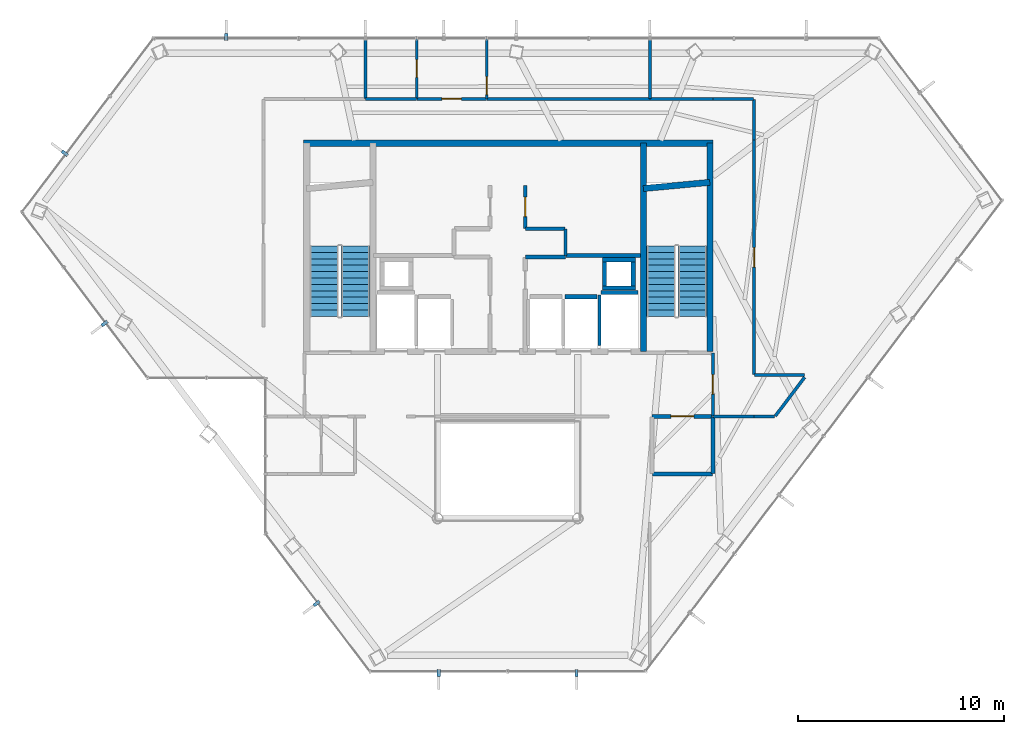
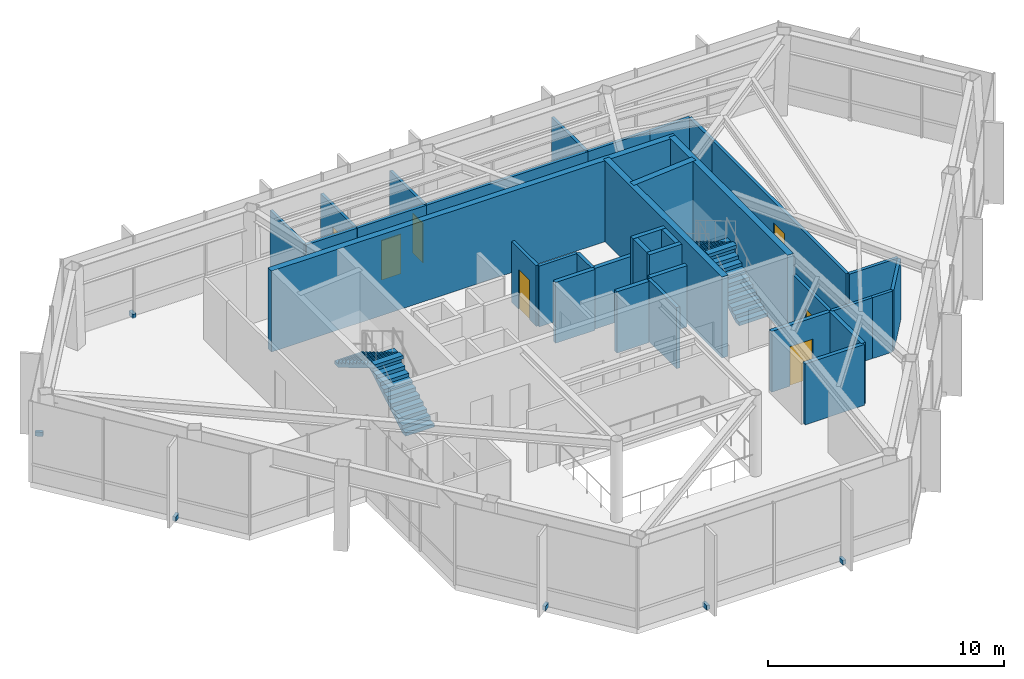
# One storey, part 20 of 22: 35 walls, 7 doors, 6 discrete accessories, 4 stair flights, 7 openings, 2 elements without a shape of their own.
"""IFC4 building model written with IfcOpenShell, lengths in metres."""

import ifcopenshell
import ifcopenshell.guid

model = None  # the IFC model being written
_history = None  # IfcOwnerHistory: only IFC2X3 demands one
_inside = {}  # id of a spatial element -> (the spatial element, [elements in it])
_under = {}  # id of a project, library or spatial element -> (it, [spatial elements below it])
_declared = {}  # id of a project -> (the project, [libraries it declares])
_typed = {}  # id of a type object -> (the type object, [elements of that type])
_made_of = {}  # id of a material, layer set ... -> (it, [elements and type objects made of it])


def new_model(schema):
    """Start an empty IFC model of exactly this schema.

    Asked for "IFC4X3", IfcOpenShell would pick the latest addendum, in which some entities
    have other attributes; the version numbers below select the first issue.
    IFC2X3 requires an IfcOwnerHistory on every rooted entity: one is made here for all.
    """
    global model, _history
    if schema == "IFC4X3":
        model = ifcopenshell.file(schema_version=(4, 3, 0, 0))
    else:
        model = ifcopenshell.file(schema=schema)
    _inside.clear()
    _under.clear()
    _declared.clear()
    _typed.clear()
    _made_of.clear()
    _history = None
    if model.schema == "IFC2X3":
        org = make("IfcOrganization", Name="unknown")
        user = make(
            "IfcPersonAndOrganization",
            ThePerson=make("IfcPerson", FamilyName="unknown"),
            TheOrganization=org,
        )
        app = make(
            "IfcApplication",
            ApplicationDeveloper=org,
            Version="unknown",
            ApplicationFullName="unknown",
            ApplicationIdentifier="unknown",
        )
        _history = make(
            "IfcOwnerHistory",
            OwningUser=user,
            OwningApplication=app,
            ChangeAction="ADDED",
            CreationDate=0,
        )
    return model


def make(cls, **values):
    """One entity of the class cls with the attributes given. An attribute that is None is left unset."""
    return model.create_entity(
        cls, **{name: value for name, value in values.items() if value is not None}
    )


def rooted(cls, **values):
    """An entity with a GlobalId (a new one), such as an element, a storey or a relation."""
    return make(cls, GlobalId=ifcopenshell.guid.new(), OwnerHistory=_history, **values)


def si_unit(unit_type, name, prefix=None):
    """IfcSIUnit, for example si_unit("LENGTHUNIT", "METRE", prefix="MILLI")."""
    return make("IfcSIUnit", UnitType=unit_type, Prefix=prefix, Name=name)


def assignment(units):
    """IfcUnitAssignment: the units of a project."""
    return None if units is None else make("IfcUnitAssignment", Units=units)


def point(xyz):
    """IfcCartesianPoint."""
    return None if xyz is None else make("IfcCartesianPoint", Coordinates=xyz)


def direction(xyz):
    """IfcDirection."""
    return None if xyz is None else make("IfcDirection", DirectionRatios=xyz)


def frame(location, z_axis=None, x_axis=None):
    """IfcAxis2Placement3D, a coordinate frame: its origin and axes. An axis left out is left unset."""
    return make(
        "IfcAxis2Placement3D",
        Location=point(location),
        Axis=direction(z_axis),
        RefDirection=direction(x_axis),
    )


def frame_2d(location, x_axis=None):
    """IfcAxis2Placement2D, a coordinate frame in the plane: its origin and x axis."""
    return make(
        "IfcAxis2Placement2D", Location=point(location), RefDirection=direction(x_axis)
    )


def origin():
    """The frame at (0, 0, 0) with its axes left unset."""
    return frame((0.0, 0.0, 0.0))


def origin_2d():
    """The frame at (0, 0) in the plane with its x axis left unset."""
    return frame_2d((0.0, 0.0))


def place(relative_to, where):
    """IfcLocalPlacement: puts the frame where relative to a parent placement (None: the world)."""
    return make(
        "IfcLocalPlacement", PlacementRelTo=relative_to, RelativePlacement=where
    )


def context(
    kind, dimensions, precision=None, world=None, true_north=None, identifier=None
):
    """IfcGeometricRepresentationContext, for example the 3D "Model" context."""
    return make(
        "IfcGeometricRepresentationContext",
        ContextIdentifier=identifier,
        ContextType=kind,
        CoordinateSpaceDimension=dimensions,
        Precision=precision,
        WorldCoordinateSystem=world,
        TrueNorth=true_north,
    )


def subcontext(parent, identifier, kind, view, scale=None):
    """IfcGeometricRepresentationSubContext, for example "Body" below "Model"."""
    return make(
        "IfcGeometricRepresentationSubContext",
        ContextIdentifier=identifier,
        ContextType=kind,
        ParentContext=parent,
        TargetScale=scale,
        TargetView=view,
    )


def project(units=None, contexts=None):
    """IfcProject with its units and contexts."""
    return rooted(
        "IfcProject",
        Name="project",
        RepresentationContexts=contexts,
        UnitsInContext=assignment(units),
    )


def spatial(cls, under=None, at=None, **own):
    """A site, building, storey or space (cls), placed at a placement, below another one or the project."""
    s = rooted(cls, ObjectPlacement=at, **own)
    if under is not None:
        _under.setdefault(under.id(), (under, []))[1].append(s)
    return s


def polyline(points):
    """IfcPolyline through the points."""
    return make("IfcPolyline", Points=[point(p) for p in points])


def profile(cls, at=None, kind="AREA", **sizes):
    """A parametric profile (cls). Its sizes go by their IFC names, for example OverallWidth=200.0."""
    return make(cls, ProfileType=kind, Position=at, **sizes)


def rectangle(**sizes):
    """IfcRectangleProfileDef."""
    return profile("IfcRectangleProfileDef", **sizes)


def outline(outer, holes=None, kind="AREA"):
    """IfcArbitraryClosedProfileDef: a profile drawn as a closed curve; with holes, ...WithVoids."""
    if holes is None:
        return make("IfcArbitraryClosedProfileDef", ProfileType=kind, OuterCurve=outer)
    return make(
        "IfcArbitraryProfileDefWithVoids",
        ProfileType=kind,
        OuterCurve=outer,
        InnerCurves=holes,
    )


def extrude(swept, where, along, depth):
    """IfcExtrudedAreaSolid: the profile swept, set in the frame where, extruded along a direction by depth."""
    return make(
        "IfcExtrudedAreaSolid",
        SweptArea=swept,
        Position=where,
        ExtrudedDirection=direction(along),
        Depth=depth,
    )


def shape(context_of_items, identifier, shape_type, items):
    """IfcShapeRepresentation: the items that make up one representation, for example the "Body"."""
    return make(
        "IfcShapeRepresentation",
        ContextOfItems=context_of_items,
        RepresentationIdentifier=identifier,
        RepresentationType=shape_type,
        Items=items,
    )


def material(Name=None, Category=None):
    """IfcMaterial."""
    return make("IfcMaterial", Name=Name, Category=Category)


def layer(
    of_material, thickness, ventilated=None, Name=None, Category=None, Priority=None
):
    """IfcMaterialLayer: one layer of a wall or slab, of a material (None: an air gap)."""
    return make(
        "IfcMaterialLayer",
        Material=of_material,
        LayerThickness=thickness,
        IsVentilated=ventilated,
        Name=Name,
        Category=Category,
        Priority=Priority,
    )


def layer_set(layers, Name=None):
    """IfcMaterialLayerSet."""
    return make("IfcMaterialLayerSet", MaterialLayers=layers, LayerSetName=Name)


def made_of(thing, what):
    """Note that an element or type object is made of a material, layer set ...; save() writes the relation."""
    if what is not None:
        _made_of.setdefault(what.id(), (what, []))[1].append(thing)
    return thing


def type_object(cls, material=None, **own):
    """A type object (cls), such as IfcWallType, which elements share."""
    return made_of(rooted(cls, **own), material)


def element(
    cls,
    number,
    at=None,
    inside=None,
    cuts=None,
    type_object=None,
    material=None,
    context=None,
    identifier="Body",
    shape_type=None,
    held_by="IfcProductDefinitionShape",
    body=None,
    shapes=None,
    **own,
):
    """One element of the class cls, such as IfcWall. Its Tag is "e" and its number.

    at: its placement. inside: the storey or other place that contains it. cuts: it is an
    opening in that element (IfcRelVoidsElement). A single representation is given by context,
    identifier, shape_type and body (its items); several are given by shapes. held_by: the class
    of the entity that holds the representations. save() writes the other relations.
    """
    e = rooted(cls, Tag="e%d" % number, ObjectPlacement=at, **own)
    if body is not None:
        shapes = [shape(context, identifier, shape_type, body)]
    if shapes is not None:
        e.Representation = make(held_by, Representations=shapes)
    if inside is not None:
        _inside.setdefault(inside.id(), (inside, []))[1].append(e)
    if cuts is not None:
        rooted(
            "IfcRelVoidsElement", RelatingBuildingElement=cuts, RelatedOpeningElement=e
        )
    if type_object is not None:
        _typed.setdefault(type_object.id(), (type_object, []))[1].append(e)
    return made_of(e, material)


def fill(opening, filler):
    """IfcRelFillsElement: the door or window that sits in an opening."""
    return rooted(
        "IfcRelFillsElement",
        RelatingOpeningElement=opening,
        RelatedBuildingElement=filler,
    )


def aggregate(whole, parts):
    """IfcRelAggregates: a whole, such as a stair, and the parts it consists of."""
    return rooted("IfcRelAggregates", RelatingObject=whole, RelatedObjects=parts)


def save(model, path):
    """Write the relations noted so far, then the file.

    IfcRelAggregates (storeys below a building ...), IfcRelContainedInSpatialStructure (elements
    in a storey), IfcRelDefinesByType, IfcRelAssociatesMaterial and IfcRelDeclares: one each for
    every whole, place, type object, material and project.
    """
    for whole, parts in _under.values():
        aggregate(whole, parts)
    for where, things in _inside.values():
        rooted(
            "IfcRelContainedInSpatialStructure",
            RelatedElements=things,
            RelatingStructure=where,
        )
    for kind, things in _typed.values():
        rooted("IfcRelDefinesByType", RelatedObjects=things, RelatingType=kind)
    for what, things in _made_of.values():
        rooted("IfcRelAssociatesMaterial", RelatedObjects=things, RelatingMaterial=what)
    for by, libraries in _declared.values():
        rooted("IfcRelDeclares", RelatingContext=by, RelatedDefinitions=libraries)
    model.write(path)


model = new_model("IFC4")

# Units and contexts
model_context = context("Model", 3, precision=1e-05, world=origin(), true_north=direction((0.0, 1.0)))
body_context = subcontext(model_context, "Body", "Model", "MODEL_VIEW")
ifc_project = project(units=[si_unit("LENGTHUNIT", "METRE"), si_unit("AREAUNIT", "SQUARE_METRE"), si_unit("VOLUMEUNIT", "CUBIC_METRE"), si_unit("PLANEANGLEUNIT", "RADIAN"), si_unit("MASSUNIT", "GRAM", prefix="KILO")], contexts=[model_context])

# Site, building, storey
site_placement = place(None, origin())
site = spatial("IfcSite", under=ifc_project, at=site_placement, CompositionType="ELEMENT")
building_placement = place(site_placement, origin())
building = spatial("IfcBuilding", under=site, at=building_placement, Name="Zarrinselat Tower", CompositionType="ELEMENT")
storey_placement = place(building_placement, frame((0.0, 0.0, 204.340087890625)))
storey = spatial("IfcBuildingStorey", under=building, at=storey_placement, Name="L50", CompositionType="ELEMENT", Elevation=204.340087890625)

# Wall, opening, door
ifc_material_1 = material(Name="Concrete C40/50", Category="concrete")
ifc_layer_1 = layer(ifc_material_1, 0.18994140625)
ifc_layer_set_1 = layer_set([ifc_layer_1], Name="Concrete C40/50")
wall_type_1 = type_object("IfcWallType", Name="WAL-PART-EI120", PredefinedType="PARTITIONING", material=ifc_layer_set_1)
wall_1_placement = place(storey_placement, frame((45.405029296875, 30.14990234375, 0.0), z_axis=(0.0, 0.0, 1.0), x_axis=(1.0, 0.0, 0.0)))
wall_1 = element("IfcWall", 1, at=wall_1_placement, inside=storey, type_object=wall_type_1, Name="L50 Partition Wall 13", PredefinedType="PARTITIONING", context=body_context, shape_type="SweptSolid", body=[
    extrude(rectangle(XDim=2.925048828125, YDim=0.18994140625, at=frame_2d((1.46240234375, 0.0))), origin(), (0.0, 0.0, 1.0), 3.156982421875),
])
opening_1_placement = place(wall_1_placement, frame((0.902587890625, 0.0, 0.0)))
opening_1 = element("IfcOpeningElement", 2, at=opening_1_placement, cuts=wall_1, Name="Opening ID-02", PredefinedType="OPENING", context=body_context, shape_type="SweptSolid", body=[
    extrude(rectangle(XDim=1.1201171875, YDim=2.050048828125, at=frame_2d((0.56005859375, 1.02490234375))), frame((0.0, 0.10498046875, 0.0), z_axis=(0.0, -1.0, 0.0), x_axis=(1.0, 0.0, 0.0)), (0.0, 0.0, 1.0), 0.2099609375),
])
ifc_material_2 = material(Name="Steel S355J2", Category="steel")
door_type_1 = type_object("IfcDoorType", Name="DR-INT-FD60-W", OperationType="NOTDEFINED", PredefinedType="DOOR", material=ifc_material_2)
door_1_placement = place(opening_1_placement, origin())
door_1 = element("IfcDoor", 3, at=door_1_placement, inside=storey, type_object=door_type_1, Name="L50 Interior Door P13", OperationType="SINGLE_SWING_LEFT", OverallHeight=2.050048828125, OverallWidth=1.1201171875, PredefinedType="DOOR", context=body_context, shape_type="SweptSolid", body=[
    extrude(rectangle(XDim=1.1201171875, YDim=2.050048828125, at=frame_2d((0.56005859375, 1.02490234375))), frame((0.0, 0.02490234375, 0.0), z_axis=(0.0, -1.0, 0.0), x_axis=(1.0, 0.0, 0.0)), (0.0, 0.0, 1.0), 0.050048828125),
])
fill(opening_1, door_1)

# Walls
wall_2_placement = place(storey_placement, frame((45.419921875, 27.35009765625, 0.0), z_axis=(0.0, 0.0, 1.0), x_axis=(1.0, 0.0, 0.0)))
element("IfcWall", 4, at=wall_2_placement, inside=storey, type_object=wall_type_1, Name="L50 Partition Wall 20", PredefinedType="PARTITIONING", context=body_context, shape_type="SweptSolid", body=[
    extrude(rectangle(XDim=2.91015625, YDim=0.18994140625, at=frame_2d((1.455078125, 0.0))), origin(), (0.0, 0.0, 1.0), 3.156982421875),
])
wall_3_placement = place(storey_placement, frame((48.35009765625, 27.3701171875, 0.0), z_axis=(0.0, 0.0, 1.0), x_axis=(0.0, 1.0, 0.0)))
element("IfcWall", 5, at=wall_3_placement, inside=storey, type_object=wall_type_1, Name="L50 Partition Wall 22", PredefinedType="PARTITIONING", context=body_context, shape_type="SweptSolid", body=[
    extrude(rectangle(XDim=2.759765625, YDim=0.18994140625, at=frame_2d((1.3798828125, 0.0))), origin(), (0.0, 0.0, 1.0), 3.156982421875),
])

# Wall, opening, door
ifc_material_3 = material(Name="Fire-Rated Gypsum Board Partition", Category="gypsum")
ifc_layer_2 = layer(ifc_material_3, 0.14990234375)
ifc_layer_set_2 = layer_set([ifc_layer_2], Name="Fire-Rated Gypsum Board Partition")
wall_type_2 = type_object("IfcWallType", Name="WAL-PART-EI60", PredefinedType="PARTITIONING", material=ifc_layer_set_2)
wall_4_placement = place(storey_placement, frame((39.25, 39.27001953125, 0.0), z_axis=(0.0, 0.0, 1.0), x_axis=(0.0, 1.0, 0.0)))
wall_4 = element("IfcWall", 6, at=wall_4_placement, inside=storey, type_object=wall_type_2, Name="L50 Partition Wall 8", PredefinedType="PARTITIONING", context=body_context, shape_type="SweptSolid", body=[
    extrude(rectangle(XDim=2.080078125, YDim=0.14990234375, at=frame_2d((1.0400390625, 0.0))), origin(), (0.0, 0.0, 1.0), 3.156982421875),
])
opening_2_placement = place(wall_4_placement, frame((0.570068359375, 0.0, 0.0)))
opening_2 = element("IfcOpeningElement", 7, at=opening_2_placement, cuts=wall_4, Name="Opening ID-04", PredefinedType="OPENING", context=body_context, shape_type="SweptSolid", body=[
    extrude(rectangle(XDim=0.93994140625, YDim=2.050048828125, at=frame_2d((0.469970703125, 1.02490234375))), frame((0.0, 0.0849609375, 0.0), z_axis=(0.0, -1.0, 0.0), x_axis=(1.0, 0.0, 0.0)), (0.0, 0.0, 1.0), 0.169921875),
])
ifc_material_4 = material(Name="Fire-Rated Gypsum Board Partition")
door_type_2 = type_object("IfcDoorType", Name="DR-INT-FD30-ENT", OperationType="NOTDEFINED", PredefinedType="DOOR", material=ifc_material_4)
door_2_placement = place(opening_2_placement, origin())
door_2 = element("IfcDoor", 8, at=door_2_placement, inside=storey, type_object=door_type_2, Name="L50 Interior Door P8", OperationType="SINGLE_SWING_RIGHT", OverallHeight=2.050048828125, OverallWidth=0.93994140625, PredefinedType="DOOR", context=body_context, shape_type="SweptSolid", body=[
    extrude(rectangle(XDim=0.93994140625, YDim=2.050048828125, at=frame_2d((0.469970703125, 1.02490234375))), frame((0.0, 0.02490234375, 0.0), z_axis=(0.0, -1.0, 0.0), x_axis=(1.0, 0.0, 0.0)), (0.0, 0.0, 1.0), 0.050048828125),
])
fill(opening_2, door_2)

# Walls
wall_5_placement = place(storey_placement, frame((39.27001953125, 39.25, 0.0), z_axis=(0.0, 0.0, 1.0), x_axis=(1.0, 0.0, 0.0)))
element("IfcWall", 9, at=wall_5_placement, inside=storey, type_object=wall_type_2, Name="L50 Partition Wall 9", PredefinedType="PARTITIONING", context=body_context, shape_type="SweptSolid", body=[
    extrude(rectangle(XDim=1.909912109375, YDim=0.14990234375, at=frame_2d((0.955078125, 0.0))), origin(), (0.0, 0.0, 1.0), 3.156982421875),
])
wall_6_placement = place(storey_placement, frame((41.199951171875, 37.955078125, 0.0), z_axis=(0.0, 0.0, 1.0), x_axis=(0.0, 1.0, 0.0)))
element("IfcWall", 10, at=wall_6_placement, inside=storey, type_object=wall_type_2, Name="L50 Partition Wall 10", PredefinedType="PARTITIONING", context=body_context, shape_type="SweptSolid", body=[
    extrude(rectangle(XDim=1.27490234375, YDim=0.14990234375, at=frame_2d((0.637451171875, 0.0))), origin(), (0.0, 0.0, 1.0), 3.156982421875),
])

# Wall, opening, door
wall_7_placement = place(storey_placement, frame((48.35009765625, 30.169921875, 0.0), z_axis=(0.0, 0.0, 1.0), x_axis=(0.0, 1.0, 0.0)))
wall_7 = element("IfcWall", 11, at=wall_7_placement, inside=storey, type_object=wall_type_2, Name="L50 Partition Wall 14", PredefinedType="PARTITIONING", context=body_context, shape_type="SweptSolid", body=[
    extrude(rectangle(XDim=3.06005859375, YDim=0.14990234375, at=frame_2d((1.530029296875, 0.0))), origin(), (0.0, 0.0, 1.0), 3.156982421875),
])
opening_3_placement = place(wall_7_placement, frame((1.06005859375, 0.0, 0.0)))
opening_3 = element("IfcOpeningElement", 12, at=opening_3_placement, cuts=wall_7, Name="Opening ID-04", PredefinedType="OPENING", context=body_context, shape_type="SweptSolid", body=[
    extrude(rectangle(XDim=0.93994140625, YDim=2.050048828125, at=frame_2d((0.469970703125, 1.02490234375))), frame((0.0, 0.0849609375, 0.0), z_axis=(0.0, -1.0, 0.0), x_axis=(1.0, 0.0, 0.0)), (0.0, 0.0, 1.0), 0.169921875),
])
door_3_placement = place(opening_3_placement, origin())
door_3 = element("IfcDoor", 13, at=door_3_placement, inside=storey, type_object=door_type_2, Name="L50 Interior Door P14", OperationType="SINGLE_SWING_RIGHT", OverallHeight=2.050048828125, OverallWidth=0.93994140625, PredefinedType="DOOR", context=body_context, shape_type="SweptSolid", body=[
    extrude(rectangle(XDim=0.93994140625, YDim=2.050048828125, at=frame_2d((0.469970703125, 1.02490234375))), frame((0.0, 0.02490234375, 0.0), z_axis=(0.0, -1.0, 0.0), x_axis=(1.0, 0.0, 0.0)), (0.0, 0.0, 1.0), 0.050048828125),
])
fill(opening_3, door_3)

# Walls
wall_8_placement = place(storey_placement, frame((45.304931640625, 45.550048828125, 0.0), z_axis=(0.0, 0.0, 1.0), x_axis=(1.0, 0.0, 0.0)))
element("IfcWall", 14, at=wall_8_placement, inside=storey, type_object=wall_type_2, Name="L50 Partition Wall 23", PredefinedType="PARTITIONING", context=body_context, shape_type="SweptSolid", body=[
    extrude(rectangle(XDim=3.045166015625, YDim=0.14990234375, at=frame_2d((1.5224609375, 0.0))), origin(), (0.0, 0.0, 1.0), 3.156982421875),
])
for number, where, z_axis, x_axis, name in (
    (15, (48.35009765625, 45.550048828125, 0.0), (0.0, 0.0, 1.0), (1.0, 0.0, 0.0), "L50 Partition Wall 24"),
    (16, (50.35009765625, 43.550048828125, 0.0), (0.0, 0.0, 1.0), (0.0, 1.0, 0.0), "L50 Partition Wall 25"),
):
    element("IfcWall", number, at=place(storey_placement, frame(where, z_axis=z_axis, x_axis=x_axis)), inside=storey, type_object=wall_type_2, Name=name, PredefinedType="PARTITIONING", context=body_context, shape_type="SweptSolid", body=[
        extrude(rectangle(XDim=1.97998046875, YDim=0.14990234375, at=frame_2d((0.989990234375, 0.0))), origin(), (0.0, 0.0, 1.0), 3.156982421875),
    ])

# Wall, opening, door
wall_9_placement = place(storey_placement, frame((50.35009765625, 32.169921875, 0.0), z_axis=(0.0, 0.0, 1.0), x_axis=(0.0, 1.0, 0.0)))
wall_9 = element("IfcWall", 17, at=wall_9_placement, inside=storey, type_object=wall_type_2, Name="L50 Partition Wall 26", PredefinedType="PARTITIONING", context=body_context, shape_type="SweptSolid", body=[
    extrude(rectangle(XDim=11.380126953125, YDim=0.14990234375, at=frame_2d((5.68994140625, 0.0))), origin(), (0.0, 0.0, 1.0), 3.156982421875),
])
opening_4_placement = place(wall_9_placement, frame((5.219970703125, 0.0, 0.0)))
opening_4 = element("IfcOpeningElement", 18, at=opening_4_placement, cuts=wall_9, Name="Opening ID-04", PredefinedType="OPENING", context=body_context, shape_type="SweptSolid", body=[
    extrude(rectangle(XDim=0.93994140625, YDim=2.050048828125, at=frame_2d((0.469970703125, 1.02490234375))), frame((0.0, 0.0849609375, 0.0), z_axis=(0.0, -1.0, 0.0), x_axis=(1.0, 0.0, 0.0)), (0.0, 0.0, 1.0), 0.169921875),
])
door_4_placement = place(opening_4_placement, origin())
door_4 = element("IfcDoor", 19, at=door_4_placement, inside=storey, type_object=door_type_2, Name="L50 Interior Door P26", OperationType="SINGLE_SWING_RIGHT", OverallHeight=2.050048828125, OverallWidth=0.93994140625, PredefinedType="DOOR", context=body_context, shape_type="SweptSolid", body=[
    extrude(rectangle(XDim=0.93994140625, YDim=2.050048828125, at=frame_2d((0.469970703125, 1.02490234375))), frame((0.0, 0.02490234375, 0.0), z_axis=(0.0, -1.0, 0.0), x_axis=(1.0, 0.0, 0.0)), (0.0, 0.0, 1.0), 0.050048828125),
])
fill(opening_4, door_4)

# Walls
wall_10_placement = place(storey_placement, frame((50.3701171875, 32.14990234375, 0.0), z_axis=(0.0, 0.0, 1.0), x_axis=(1.0, 0.0, 0.0)))
element("IfcWall", 20, at=wall_10_placement, inside=storey, type_object=wall_type_2, Name="L50 Partition Wall 27", PredefinedType="PARTITIONING", context=body_context, shape_type="SweptSolid", body=[
    extrude(rectangle(XDim=2.429931640625, YDim=0.14990234375, at=frame_2d((1.21484375, 0.0))), origin(), (0.0, 0.0, 1.0), 3.156982421875),
])
wall_11_placement = place(storey_placement, frame((51.377197265625, 30.166015625, 0.0), z_axis=(0.0, 0.0, 1.0), x_axis=(0.603855693114, 0.797093659424, 0.0)))
element("IfcWall", 21, at=wall_11_placement, inside=storey, type_object=wall_type_2, Name="L50 Partition Wall 28", PredefinedType="PARTITIONING", context=body_context, shape_type="SweptSolid", body=[
    extrude(rectangle(XDim=2.356201171875, YDim=0.14990234375, at=frame_2d((1.17822265625, 0.0))), origin(), (0.0, 0.0, 1.0), 3.156982421875),
])
wall_12_placement = place(storey_placement, frame((50.35009765625, 30.14990234375, 0.0), z_axis=(0.0, 0.0, 1.0), x_axis=(1.0, 0.0, 0.0)))
element("IfcWall", 22, at=wall_12_placement, inside=storey, type_object=wall_type_2, Name="L50 Partition Wall 29", PredefinedType="PARTITIONING", context=body_context, shape_type="SweptSolid", body=[
    extrude(rectangle(XDim=0.9951171875, YDim=0.14990234375, at=frame_2d((0.49755859375, 0.0))), origin(), (0.0, 0.0, 1.0), 3.156982421875),
])
wall_13_placement = place(storey_placement, frame((48.3701171875, 30.14990234375, 0.0), z_axis=(0.0, 0.0, 1.0), x_axis=(1.0, 0.0, 0.0)))
element("IfcWall", 23, at=wall_13_placement, inside=storey, type_object=wall_type_2, Name="L50 Partition Wall 30", PredefinedType="PARTITIONING", context=body_context, shape_type="SweptSolid", body=[
    extrude(rectangle(XDim=1.97998046875, YDim=0.14990234375, at=frame_2d((0.989990234375, 0.0))), origin(), (0.0, 0.0, 1.0), 3.156982421875),
])

# Wall, opening, door
wall_14_placement = place(storey_placement, frame((33.989013671875, 45.550048828125, 0.0), z_axis=(0.0, 0.0, 1.0), x_axis=(1.0, 0.0, 0.0)))
wall_14 = element("IfcWall", 24, at=wall_14_placement, inside=storey, type_object=wall_type_2, Name="L50 Partition Wall 35", PredefinedType="PARTITIONING", context=body_context, shape_type="SweptSolid", body=[
    extrude(rectangle(XDim=3.384765625, YDim=0.14990234375, at=frame_2d((1.6923828125, 0.0))), origin(), (0.0, 0.0, 1.0), 3.156982421875),
])
opening_5_placement = place(wall_14_placement, frame((1.222412109375, 0.0, 0.0)))
opening_5 = element("IfcOpeningElement", 25, at=opening_5_placement, cuts=wall_14, Name="Opening ID-04", PredefinedType="OPENING", context=body_context, shape_type="SweptSolid", body=[
    extrude(rectangle(XDim=0.93994140625, YDim=2.050048828125, at=frame_2d((0.469970703125, 1.02490234375))), frame((0.0, 0.0849609375, 0.0), z_axis=(0.0, -1.0, 0.0), x_axis=(1.0, 0.0, 0.0)), (0.0, 0.0, 1.0), 0.169921875),
])
door_5_placement = place(opening_5_placement, origin())
door_5 = element("IfcDoor", 26, at=door_5_placement, inside=storey, type_object=door_type_2, Name="L50 Interior Door P35", OperationType="SINGLE_SWING_RIGHT", OverallHeight=2.050048828125, OverallWidth=0.93994140625, PredefinedType="DOOR", context=body_context, shape_type="SweptSolid", body=[
    extrude(rectangle(XDim=0.93994140625, YDim=2.050048828125, at=frame_2d((0.469970703125, 1.02490234375))), frame((0.0, 0.02490234375, 0.0), z_axis=(0.0, -1.0, 0.0), x_axis=(1.0, 0.0, 0.0)), (0.0, 0.0, 1.0), 0.050048828125),
])
fill(opening_5, door_5)

# Walls
wall_15_placement = place(storey_placement, frame((37.3837890625, 45.550048828125, 0.0), z_axis=(0.0, 0.0, 1.0), x_axis=(1.0, 0.0, 0.0)))
element("IfcWall", 27, at=wall_15_placement, inside=storey, type_object=wall_type_2, Name="L50 Partition Wall 36", PredefinedType="PARTITIONING", context=body_context, shape_type="SweptSolid", body=[
    extrude(rectangle(XDim=7.9111328125, YDim=0.14990234375, at=frame_2d((3.95556640625, 0.0))), origin(), (0.0, 0.0, 1.0), 3.156982421875),
])
wall_16_placement = place(storey_placement, frame((31.5048828125, 45.550048828125, 0.0), z_axis=(0.0, 0.0, 1.0), x_axis=(1.0, 0.0, 0.0)))
element("IfcWall", 28, at=wall_16_placement, inside=storey, type_object=wall_type_2, Name="L50 Partition Wall 37", PredefinedType="PARTITIONING", context=body_context, shape_type="SweptSolid", body=[
    extrude(rectangle(XDim=2.47412109375, YDim=0.14990234375, at=frame_2d((1.237060546875, 0.0))), origin(), (0.0, 0.0, 1.0), 3.156982421875),
])
ifc_material_5 = material(Name="Concrete C40/50", Category="concrete")
ifc_layer_3 = layer(ifc_material_5, 0.199951171875)
ifc_layer_set_3 = layer_set([ifc_layer_3], Name="Concrete C40/50")
wall_type_3 = type_object("IfcWallType", Name="WAL-PART-PLANT", PredefinedType="PARTITIONING", material=ifc_layer_set_3)
wall_17_placement = place(storey_placement, frame((39.27001953125, 37.8798828125, 0.0), z_axis=(0.0, 0.0, 1.0), x_axis=(1.0, 0.0, 0.0)))
element("IfcWall", 29, at=wall_17_placement, inside=storey, type_object=wall_type_3, Name="L50 Partition Wall 6", PredefinedType="PARTITIONING", context=body_context, shape_type="SweptSolid", body=[
    extrude(rectangle(XDim=1.929931640625, YDim=0.199951171875, at=frame_2d((0.96484375, 0.0))), origin(), (0.0, 0.0, 1.0), 3.156982421875),
])
wall_18_placement = place(storey_placement, frame((41.219970703125, 37.949951171875, 0.0), z_axis=(0.0, 0.0, 1.0), x_axis=(1.0, 0.0, 0.0)))
element("IfcWall", 30, at=wall_18_placement, inside=storey, type_object=wall_type_3, Name="L50 Partition Wall 12", PredefinedType="PARTITIONING", context=body_context, shape_type="SweptSolid", body=[
    extrude(rectangle(XDim=3.614990234375, YDim=0.199951171875, at=frame_2d((1.8076171875, 0.0))), origin(), (0.0, 0.0, 1.0), 3.156982421875),
])
ifc_material_6 = material(Name="Fire-Rated Gypsum Board Partition", Category="gypsum")
ifc_layer_4 = layer(ifc_material_6, 0.135009765625)
ifc_layer_set_4 = layer_set([ifc_layer_4], Name="Fire-Rated Gypsum Board Partition")
wall_type_4 = type_object("IfcWallType", Name="WAL-PART-WET", PredefinedType="PARTITIONING", material=ifc_layer_set_4)
for number, where, z_axis, x_axis, name in (
    (31, (45.300048828125, 45.570068359375, 0.0), (0.0, 0.0, 1.0), (0.0, 1.0, 0.0), "L50 Partition Wall 46"),
    (32, (31.5, 45.570068359375, 0.0), (0.0, 0.0, 1.0), (0.0, 1.0, 0.0), "L50 Partition Wall 47"),
):
    element("IfcWall", number, at=place(storey_placement, frame(where, z_axis=z_axis, x_axis=x_axis)), inside=storey, type_object=wall_type_4, Name=name, PredefinedType="PARTITIONING", context=body_context, shape_type="SweptSolid", body=[
        extrude(rectangle(XDim=2.904052734375, YDim=0.135009765625, at=frame_2d((1.4521484375, 0.0))), origin(), (0.0, 0.0, 1.0), 3.156982421875),
    ])

# Wall, opening, door
wall_19_placement = place(storey_placement, frame((37.37890625, 45.570068359375, 0.0), z_axis=(0.0, 0.0, 1.0), x_axis=(0.0, 1.0, 0.0)))
wall_19 = element("IfcWall", 33, at=wall_19_placement, inside=storey, type_object=wall_type_4, Name="L50 Partition Wall 48", PredefinedType="PARTITIONING", context=body_context, shape_type="SweptSolid", body=[
    extrude(rectangle(XDim=2.904052734375, YDim=0.135009765625, at=frame_2d((1.4521484375, 0.0))), origin(), (0.0, 0.0, 1.0), 3.156982421875),
])
opening_6_placement = place(wall_19_placement, frame((0.179931640625, 0.0, 0.0)))
opening_6 = element("IfcOpeningElement", 34, at=opening_6_placement, cuts=wall_19, Name="Opening ID-03", PredefinedType="OPENING", context=body_context, shape_type="SweptSolid", body=[
    extrude(rectangle(XDim=0.8798828125, YDim=2.050048828125, at=frame_2d((0.43994140625, 1.02490234375))), frame((0.0, 0.077392578125, 0.0), z_axis=(0.0, -1.0, 0.0), x_axis=(1.0, 0.0, 0.0)), (0.0, 0.0, 1.0), 0.155029296875),
])
ifc_material_7 = material(Name="Steel S355J2", Category="steel")
door_type_3 = type_object("IfcDoorType", Name="DR-INT-FD60-S", OperationType="NOTDEFINED", PredefinedType="DOOR", material=ifc_material_7)
door_6_placement = place(opening_6_placement, origin())
door_6 = element("IfcDoor", 35, at=door_6_placement, inside=storey, type_object=door_type_3, Name="L50 Interior Door P48", OperationType="SINGLE_SWING_RIGHT", OverallHeight=2.050048828125, OverallWidth=0.8798828125, PredefinedType="DOOR", context=body_context, shape_type="SweptSolid", body=[
    extrude(rectangle(XDim=0.8798828125, YDim=2.050048828125, at=frame_2d((0.43994140625, 1.02490234375))), frame((0.0, 0.02490234375, 0.0), z_axis=(0.0, -1.0, 0.0), x_axis=(1.0, 0.0, 0.0)), (0.0, 0.0, 1.0), 0.050048828125),
])
fill(opening_6, door_6)

wall_20_placement = place(storey_placement, frame((33.98388671875, 45.570068359375, 0.0), z_axis=(0.0, 0.0, 1.0), x_axis=(0.0, 1.0, 0.0)))
wall_20 = element("IfcWall", 36, at=wall_20_placement, inside=storey, type_object=wall_type_4, Name="L50 Partition Wall 49", PredefinedType="PARTITIONING", context=body_context, shape_type="SweptSolid", body=[
    extrude(rectangle(XDim=2.904052734375, YDim=0.135009765625, at=frame_2d((1.4521484375, 0.0))), origin(), (0.0, 0.0, 1.0), 3.156982421875),
])
opening_7_placement = place(wall_20_placement, frame((1.02197265625, 0.0, 0.0)))
opening_7 = element("IfcOpeningElement", 37, at=opening_7_placement, cuts=wall_20, Name="Opening ID-06", PredefinedType="OPENING", context=body_context, shape_type="SweptSolid", body=[
    extrude(rectangle(XDim=0.860107421875, YDim=2.050048828125, at=frame_2d((0.43017578125, 1.02490234375))), frame((0.0, 0.077392578125, 0.0), z_axis=(0.0, -1.0, 0.0), x_axis=(1.0, 0.0, 0.0)), (0.0, 0.0, 1.0), 0.155029296875),
])
ifc_material_8 = material(Name="Extruded Aluminium Alloy EN AW-6063 T6", Category="aluminium")
door_type_4 = type_object("IfcDoorType", Name="DR-INT-WET-900", OperationType="NOTDEFINED", PredefinedType="DOOR", material=ifc_material_8)
door_7_placement = place(opening_7_placement, origin())
door_7 = element("IfcDoor", 38, at=door_7_placement, inside=storey, type_object=door_type_4, Name="L50 Interior Door P49", OperationType="SINGLE_SWING_LEFT", OverallHeight=2.050048828125, OverallWidth=0.860107421875, PredefinedType="DOOR", context=body_context, shape_type="SweptSolid", body=[
    extrude(rectangle(XDim=0.860107421875, YDim=2.050048828125, at=frame_2d((0.43017578125, 1.02490234375))), frame((0.0, 0.02490234375, 0.0), z_axis=(0.0, -1.0, 0.0), x_axis=(1.0, 0.0, 0.0)), (0.0, 0.0, 1.0), 0.050048828125),
])
fill(opening_7, door_7)

# Walls
ifc_material_9 = material(Name="Concrete C40/50", Category="concrete")
ifc_layer_5 = layer(ifc_material_9, 0.2099609375)
ifc_layer_set_5 = layer_set([ifc_layer_5], Name="Concrete C40/50")
wall_type_5 = type_object("IfcWallType", Name="WAL-SHAFT-210", PredefinedType="SOLIDWALL", material=ifc_layer_set_5)
wall_21_placement = place(storey_placement, frame((42.919921875, 36.155029296875, 0.0), z_axis=(0.0, 0.0, 1.0), x_axis=(1.0, 0.0, 0.0)))
element("IfcWall", 39, at=wall_21_placement, inside=storey, type_object=wall_type_5, Name="L50 Lift FFL2 North Shaft Wall", PredefinedType="SOLIDWALL", context=body_context, shape_type="SweptSolid", body=[
    extrude(rectangle(XDim=1.800048828125, YDim=0.2099609375, at=frame_2d((0.89990234375, 0.0))), origin(), (0.0, 0.0, 1.0), 3.171875),
])
wall_22_placement = place(storey_placement, frame((42.85009765625, 33.580078125, 0.0), z_axis=(0.0, 0.0, 1.0), x_axis=(0.0, 1.0, 0.0)))
element("IfcWall", 40, at=wall_22_placement, inside=storey, type_object=wall_type_5, Name="L50 Lift FFL2 W Shaft Wall", PredefinedType="SOLIDWALL", context=body_context, shape_type="SweptSolid", body=[
    extrude(rectangle(XDim=2.449951171875, YDim=0.159912109375, at=frame_2d((1.22509765625, 0.0))), origin(), (0.0, 0.0, 1.0), 3.171875),
])
wall_23_placement = place(storey_placement, frame((41.169921875, 35.955078125, 0.0), z_axis=(0.0, 0.0, 1.0), x_axis=(1.0, 0.0, 0.0)))
element("IfcWall", 41, at=wall_23_placement, inside=storey, type_object=wall_type_5, Name="L50 Lift PL9 North Shaft Wall", PredefinedType="SOLIDWALL", context=body_context, shape_type="SweptSolid", body=[
    extrude(rectangle(XDim=1.56005859375, YDim=0.2099609375, at=frame_2d((0.780029296875, 0.0))), origin(), (0.0, 0.0, 1.0), 3.171875),
])
for number, where, z_axis, x_axis, name in (
    (42, (42.989990234375, 36.375, 0.0), (0.0, 0.0, 1.0), (1.0, 0.0, 0.0), "L50 Core Riser RSR-E S Shaft Wall"),
    (43, (42.989990234375, 37.7451171875, 0.0), (0.0, 0.0, 1.0), (1.0, 0.0, 0.0), "L50 Core Riser RSR-E N Shaft Wall"),
):
    element("IfcWall", number, at=place(storey_placement, frame(where, z_axis=z_axis, x_axis=x_axis)), inside=storey, type_object=wall_type_5, Name=name, PredefinedType="SOLIDWALL", context=body_context, shape_type="SweptSolid", body=[
        extrude(rectangle(XDim=1.60009765625, YDim=0.2099609375, at=frame_2d((0.800048828125, 0.0))), origin(), (0.0, 0.0, 1.0), 4.199951171875),
    ])
for number, where, z_axis, x_axis, name in (
    (44, (43.094970703125, 36.485107421875, 0.0), (0.0, 0.0, 1.0), (0.0, 1.0, 0.0), "L50 Core Riser RSR-E W Shaft Wall"),
    (45, (44.485107421875, 36.485107421875, 0.0), (0.0, 0.0, 1.0), (0.0, 1.0, 0.0), "L50 Core Riser RSR-E E Shaft Wall"),
):
    element("IfcWall", number, at=place(storey_placement, frame(where, z_axis=z_axis, x_axis=x_axis)), inside=storey, type_object=wall_type_5, Name=name, PredefinedType="SOLIDWALL", context=body_context, shape_type="SweptSolid", body=[
        extrude(rectangle(XDim=1.14990234375, YDim=0.2099609375, at=frame_2d((0.574951171875, 0.0))), origin(), (0.0, 0.0, 1.0), 4.199951171875),
    ])
ifc_material_10 = material(Name="Concrete C40/50", Category="concrete")
ifc_layer_6 = layer(ifc_material_10, 0.300048828125)
ifc_layer_set_6 = layer_set([ifc_layer_6], Name="Concrete C40/50")
wall_type_6 = type_object("IfcWallType", Name="WAL-SHEAR-300", PredefinedType="SHEAR", material=ifc_layer_set_6)
wall_24_placement = place(storey_placement, frame((28.5, 43.39990234375, 0.0), z_axis=(0.0, 0.0, 1.0), x_axis=(1.0, 0.0, 0.0)))
element("IfcWall", 46, at=wall_24_placement, inside=storey, type_object=wall_type_6, Name="L50 North Core Shear Wall", PredefinedType="SHEAR", context=body_context, shape_type="SweptSolid", body=[
    extrude(rectangle(XDim=19.860107421875, YDim=0.300048828125, at=frame_2d((9.93017578125, 0.0))), origin(), (0.0, 0.0, 1.0), 4.199951171875),
])
for number, where, z_axis, x_axis, name in (
    (47, (44.989990234375, 33.300048828125, 0.0), (0.0, 0.0, 1.0), (0.0, 1.0, 0.0), "L50 Core Shear Wall ST2W"),
    (48, (48.2099609375, 33.300048828125, 0.0), (0.0, 0.0, 1.0), (0.0, 1.0, 0.0), "L50 Core Shear Wall E"),
):
    element("IfcWall", number, at=place(storey_placement, frame(where, z_axis=z_axis, x_axis=x_axis)), inside=storey, type_object=wall_type_6, Name=name, PredefinedType="SHEAR", context=body_context, shape_type="SweptSolid", body=[
        extrude(rectangle(XDim=10.099853515625, YDim=0.300048828125, at=frame_2d((5.0498046875, 0.0))), origin(), (0.0, 0.0, 1.0), 4.199951171875),
    ])
wall_25_placement = place(storey_placement, frame((44.97998046875, 41.199951171875, 0.0), z_axis=(0.0, 0.0, 1.0), x_axis=(0.995686468965, 0.09278176286, 0.0)))
element("IfcWall", 49, at=wall_25_placement, inside=storey, type_object=wall_type_6, Name="L50 Stair 2 North Shaft Wall", PredefinedType="SHEAR", context=body_context, shape_type="SweptSolid", body=[
    extrude(rectangle(XDim=3.23388671875, YDim=0.300048828125, at=frame_2d((1.616943359375, 0.0))), origin(), (0.0, 0.0, 1.0), 4.199951171875),
])

# Stair, stair flights
ifc_material_11 = material(Name="Concrete C40/50", Category="concrete")
stair_type = type_object("IfcStairType", Name="STR-CORE-155", PredefinedType="HALF_TURN_STAIR", material=ifc_material_11)
stair_1_placement = place(storey_placement, origin())
stair_1 = element("IfcStair", 50, at=stair_1_placement, inside=storey, type_object=stair_type, Name="L50 Core Exit Stair 1", PredefinedType="HALF_TURN_STAIR")
ifc_material_12 = material(Name="Concrete C40/50", Category="concrete")
stair_flight_type = type_object("IfcStairFlightType", Name="STR-FLT-155", PredefinedType="STRAIGHT", material=ifc_material_12)
stair_flight_1_placement = place(storey_placement, frame((31.02001953125, 35.0, 0.0), z_axis=(0.0, 0.0, 1.0), x_axis=(0.0, 1.0, 0.0)))
stair_flight_1 = element("IfcStairFlight", 51, at=stair_flight_1_placement, type_object=stair_flight_type, Name="ST-1 flight 1", NumberOfRisers=12, NumberOfTreads=11, PredefinedType="STRAIGHT", RiserHeight=0.184166667, TreadLength=0.31, context=body_context, shape_type="SweptSolid", body=[
    extrude(outline(polyline([(0.0, 0.0), (0.0, 0.18408203125), (0.31005859375, 0.18408203125), (0.31005859375, 0.368408203125), (0.6201171875, 0.368408203125), (0.6201171875, 0.552490234375), (0.929931640625, 0.552490234375), (0.929931640625, 0.736572265625), (1.239990234375, 0.736572265625), (1.239990234375, 0.9208984375), (1.550048828125, 0.9208984375), (1.550048828125, 1.10498046875), (1.860107421875, 1.10498046875), (1.860107421875, 1.2890625), (2.169921875, 1.2890625), (2.169921875, 1.473388671875), (2.47998046875, 1.473388671875), (2.47998046875, 1.657470703125), (2.7900390625, 1.657470703125), (2.7900390625, 1.841552734375), (3.10009765625, 1.841552734375), (3.10009765625, 2.02587890625), (3.409912109375, 2.02587890625), (3.409912109375, 2.2099609375), (3.409912109375, 1.8515625), (0.29345703125, 0.0), (0.0, 0.0)])), frame((0.0, 0.699951171875, 0.0), z_axis=(0.0, -1.0, 0.0), x_axis=(1.0, 0.0, 0.0)), (0.0, 0.0, 1.0), 1.39990234375),
])
stair_flight_2_placement = place(storey_placement, frame((29.5, 38.409912109375, 2.2099609375), z_axis=(0.0, 0.0, 1.0), x_axis=(0.0, -1.0, 0.0)))
stair_flight_2 = element("IfcStairFlight", 52, at=stair_flight_2_placement, type_object=stair_flight_type, Name="ST-1 flight 2", NumberOfRisers=12, NumberOfTreads=11, PredefinedType="STRAIGHT", RiserHeight=0.184166667, TreadLength=0.31, context=body_context, shape_type="SweptSolid", body=[
    extrude(outline(polyline([(0.0, 0.0), (0.0, 0.18408203125), (0.31005859375, 0.18408203125), (0.31005859375, 0.368408203125), (0.6201171875, 0.368408203125), (0.6201171875, 0.552490234375), (0.929931640625, 0.552490234375), (0.929931640625, 0.736572265625), (1.239990234375, 0.736572265625), (1.239990234375, 0.9208984375), (1.550048828125, 0.9208984375), (1.550048828125, 1.10498046875), (1.860107421875, 1.10498046875), (1.860107421875, 1.2890625), (2.169921875, 1.2890625), (2.169921875, 1.473388671875), (2.47998046875, 1.473388671875), (2.47998046875, 1.657470703125), (2.7900390625, 1.657470703125), (2.7900390625, 1.841552734375), (3.10009765625, 1.841552734375), (3.10009765625, 2.02587890625), (3.409912109375, 2.02587890625), (3.409912109375, 2.2099609375), (3.409912109375, 1.8515625), (0.29345703125, 0.0), (0.0, 0.0)])), frame((0.0, 0.699951171875, 0.0), z_axis=(0.0, -1.0, 0.0), x_axis=(1.0, 0.0, 0.0)), (0.0, 0.0, 1.0), 1.39990234375),
])
aggregate(stair_1, [stair_flight_1, stair_flight_2])

stair_2_placement = place(storey_placement, origin())
stair_2 = element("IfcStair", 53, at=stair_2_placement, inside=storey, type_object=stair_type, Name="L50 Core Exit Stair 2", PredefinedType="HALF_TURN_STAIR")
stair_flight_3_placement = place(storey_placement, frame((47.360107421875, 35.0, 0.0), z_axis=(0.0, 0.0, 1.0), x_axis=(0.0, 1.0, 0.0)))
stair_flight_3 = element("IfcStairFlight", 54, at=stair_flight_3_placement, type_object=stair_flight_type, Name="ST-2 flight 1", NumberOfRisers=12, NumberOfTreads=11, PredefinedType="STRAIGHT", RiserHeight=0.184166667, TreadLength=0.31, context=body_context, shape_type="SweptSolid", body=[
    extrude(outline(polyline([(0.0, 0.0), (0.0, 0.18408203125), (0.31005859375, 0.18408203125), (0.31005859375, 0.368408203125), (0.6201171875, 0.368408203125), (0.6201171875, 0.552490234375), (0.929931640625, 0.552490234375), (0.929931640625, 0.736572265625), (1.239990234375, 0.736572265625), (1.239990234375, 0.9208984375), (1.550048828125, 0.9208984375), (1.550048828125, 1.10498046875), (1.860107421875, 1.10498046875), (1.860107421875, 1.2890625), (2.169921875, 1.2890625), (2.169921875, 1.473388671875), (2.47998046875, 1.473388671875), (2.47998046875, 1.657470703125), (2.7900390625, 1.657470703125), (2.7900390625, 1.841552734375), (3.10009765625, 1.841552734375), (3.10009765625, 2.02587890625), (3.409912109375, 2.02587890625), (3.409912109375, 2.2099609375), (3.409912109375, 1.8515625), (0.29345703125, 0.0), (0.0, 0.0)])), frame((0.0, 0.699951171875, 0.0), z_axis=(0.0, -1.0, 0.0), x_axis=(1.0, 0.0, 0.0)), (0.0, 0.0, 1.0), 1.39990234375),
])
stair_flight_4_placement = place(storey_placement, frame((45.840087890625, 38.409912109375, 2.2099609375), z_axis=(0.0, 0.0, 1.0), x_axis=(0.0, -1.0, 0.0)))
stair_flight_4 = element("IfcStairFlight", 55, at=stair_flight_4_placement, type_object=stair_flight_type, Name="ST-2 flight 2", NumberOfRisers=12, NumberOfTreads=11, PredefinedType="STRAIGHT", RiserHeight=0.184166667, TreadLength=0.31, context=body_context, shape_type="SweptSolid", body=[
    extrude(outline(polyline([(0.0, 0.0), (0.0, 0.18408203125), (0.31005859375, 0.18408203125), (0.31005859375, 0.368408203125), (0.6201171875, 0.368408203125), (0.6201171875, 0.552490234375), (0.929931640625, 0.552490234375), (0.929931640625, 0.736572265625), (1.239990234375, 0.736572265625), (1.239990234375, 0.9208984375), (1.550048828125, 0.9208984375), (1.550048828125, 1.10498046875), (1.860107421875, 1.10498046875), (1.860107421875, 1.2890625), (2.169921875, 1.2890625), (2.169921875, 1.473388671875), (2.47998046875, 1.473388671875), (2.47998046875, 1.657470703125), (2.7900390625, 1.657470703125), (2.7900390625, 1.841552734375), (3.10009765625, 1.841552734375), (3.10009765625, 2.02587890625), (3.409912109375, 2.02587890625), (3.409912109375, 2.2099609375), (3.409912109375, 1.8515625), (0.29345703125, 0.0), (0.0, 0.0)])), frame((0.0, 0.699951171875, 0.0), z_axis=(0.0, -1.0, 0.0), x_axis=(1.0, 0.0, 0.0)), (0.0, 0.0, 1.0), 1.39990234375),
])
aggregate(stair_2, [stair_flight_3, stair_flight_4])

# Discrete accessories
ifc_material_13 = material(Name="Steel S355J2", Category="steel")
discrete_accessory_type = type_object("IfcDiscreteAccessoryType", Name="ACC-FIN-BRACKET", PredefinedType="BRACKET", material=ifc_material_13)
for number, where, z_axis, x_axis, name in (
    (56, (16.916015625, 42.91064453125, -0.05029296875), (0.0, 0.0, 1.0), (-0.797092010258, 0.603857870018, 0.0), "L50 Fin Fixing Bracket CW-L50-E01-01"),
    (57, (24.747314453125, 48.55908203125, -0.05029296875), (0.0, 0.0, 1.0), (0.0, 1.0, 0.0), "L50 Fin Fixing Bracket CW-L50-E02-01"),
    (58, (41.740234375, 17.710693359375, -0.05029296875), (0.0, 0.0, 1.0), (0.0, -1.0, 0.0), "L50 Fin Fixing Bracket CW-L50-E05-01"),
    (59, (35.059814453125, 17.710693359375, -0.05029296875), (0.0, 0.0, 1.0), (0.0, -1.0, 0.0), "L50 Fin Fixing Bracket CW-L50-E05-03"),
    (60, (29.1328125, 21.0791015625, -0.05029296875), (0.0, 0.0, 1.0), (-0.797091574078, -0.603858445775, 0.0), "L50 Fin Fixing Bracket CW-L50-E06-01"),
    (61, (18.84912109375, 34.65380859375, -0.05029296875), (0.0, 0.0, 1.0), (-0.797091574078, -0.603858445775, 0.0), "L50 Fin Fixing Bracket CW-L50-E25-01"),
):
    element("IfcDiscreteAccessory", number, at=place(storey_placement, frame(where, z_axis=z_axis, x_axis=x_axis)), inside=storey, type_object=discrete_accessory_type, Name=name, PredefinedType="BRACKET", context=body_context, shape_type="SweptSolid", body=[
        extrude(rectangle(XDim=0.340087890625, YDim=0.159912109375, at=origin_2d()), origin(), (0.0, 0.0, 1.0), 0.219970703125),
    ])

save(model, "model.ifc")
